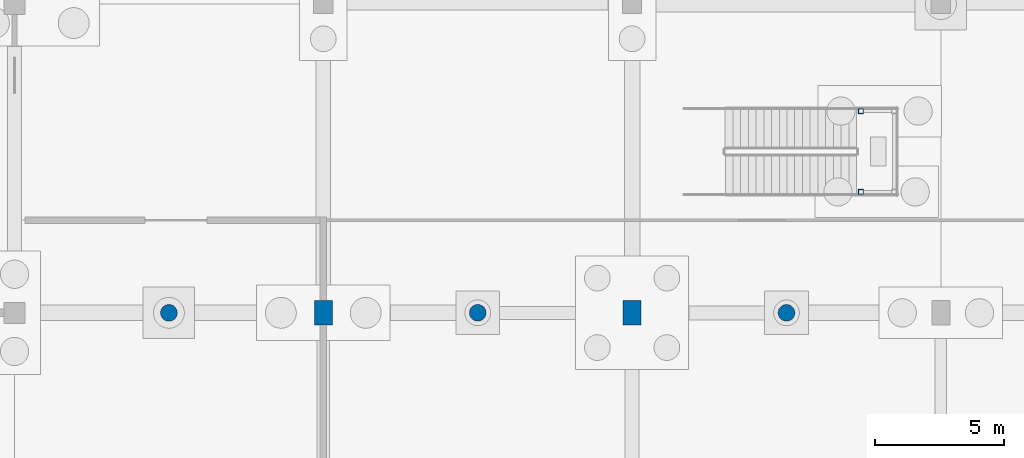
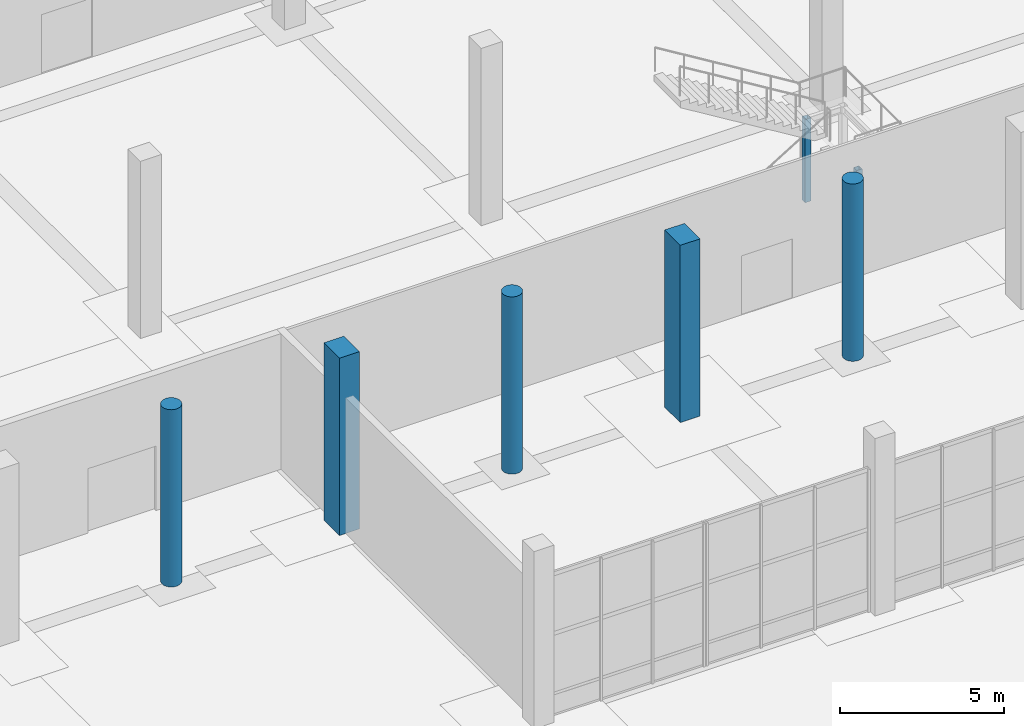
# One storey, part 22 of 117: 7 columns.
"""IFC4 building model written with IfcOpenShell, lengths in metres."""

from ifc_helpers import new_model, si_unit, direction, frame, origin, origin_2d, place, context, subcontext, project, spatial, rectangle, hollow_rectangle, circle, extrude, material, material_profile, profile_set, type_object, element, save


model = new_model("IFC4")

# Units and contexts
model_context = context("Model", 3, precision=1e-05, world=origin(), true_north=direction((0.0, 1.0)))
body_context = subcontext(model_context, "Body", "Model", "MODEL_VIEW")
ifc_project = project(units=[si_unit("LENGTHUNIT", "METRE"), si_unit("AREAUNIT", "SQUARE_METRE"), si_unit("VOLUMEUNIT", "CUBIC_METRE"), si_unit("PLANEANGLEUNIT", "RADIAN"), si_unit("MASSUNIT", "GRAM", prefix="KILO")], contexts=[model_context])

# Site, building, storey
site_placement = place(None, origin())
site = spatial("IfcSite", under=ifc_project, at=site_placement, CompositionType="ELEMENT")
building_placement = place(site_placement, origin())
building = spatial("IfcBuilding", under=site, at=building_placement, Name="Kamomehara Wholesale Market", CompositionType="ELEMENT")
storey_placement = place(building_placement, origin())
storey = spatial("IfcBuildingStorey", under=building, at=storey_placement, Name="L00", CompositionType="ELEMENT", Elevation=0.0)

# Columns
ifc_material_1 = material(Name="Precast concrete Fc45 (C40/50)", Category="concrete")
ifc_material_profile_1 = material_profile(ifc_material_1, circle(Radius=0.324951171875, at=origin_2d()), Name="PC-ARC-D650")
ifc_profile_set_1 = profile_set([ifc_material_profile_1], Name="Precast concrete Fc45 (C40/50)")
column_type_1 = type_object("IfcColumnType", Name="COL-ARC650-EXT", PredefinedType="COLUMN", material=ifc_profile_set_1)
for number, where, z_axis, x_axis, name in (
    (1, (66.0, 108.0, 0.0), (0.0, 0.0, 1.0), (1.0, 0.0, 0.0), "Column CA-01E L00"),
    (2, (78.0, 108.0, 0.0), (0.0, 0.0, 1.0), (1.0, 0.0, 0.0), "Column CA-01E L00"),
    (3, (90.0, 108.0, 0.0), (0.0, 0.0, 1.0), (1.0, 0.0, 0.0), "Column CA-01E L00"),
):
    element("IfcColumn", number, at=place(storey_placement, frame(where, z_axis=z_axis, x_axis=x_axis)), inside=storey, type_object=column_type_1, Name=name, PredefinedType="COLUMN", context=body_context, shape_type="SweptSolid", body=[
        extrude(circle(Radius=0.324951171875, at=origin_2d()), origin(), (0.0, 0.0, 1.0), 6.60009765625),
    ])
ifc_material_2 = material(Name="Precast concrete Fc45 (C40/50)", Category="concrete")
ifc_material_profile_2 = material_profile(ifc_material_2, rectangle(XDim=0.699951171875, YDim=0.949951171875, at=origin_2d()), Name="PC-COL-700x950")
ifc_profile_set_2 = profile_set([ifc_material_profile_2], Name="Precast concrete Fc45 (C40/50)")
column_type_2 = type_object("IfcColumnType", Name="COL-PCR950-EXT", PredefinedType="COLUMN", material=ifc_profile_set_2)
for number, where, z_axis, x_axis, name in (
    (4, (72.0, 108.0, 0.0), (0.0, 0.0, 1.0), (1.0, 0.0, 0.0), "Column C-11E L00"),
    (5, (84.0, 108.0, 0.0), (0.0, 0.0, 1.0), (1.0, 0.0, 0.0), "Column C-11E L00"),
):
    element("IfcColumn", number, at=place(storey_placement, frame(where, z_axis=z_axis, x_axis=x_axis)), inside=storey, type_object=column_type_2, Name=name, PredefinedType="COLUMN", context=body_context, shape_type="SweptSolid", body=[
        extrude(rectangle(XDim=0.699951171875, YDim=0.949951171875, at=origin_2d()), origin(), (0.0, 0.0, 1.0), 6.60009765625),
    ])
ifc_material_3 = material(Name="Steel SN490B", Category="steel")
ifc_material_profile_3 = material_profile(ifc_material_3, hollow_rectangle(XDim=0.199951171875, YDim=0.199951171875, WallThickness=0.009033203125, at=origin_2d()), Name="RHS-200x200x9")
ifc_profile_set_3 = profile_set([ifc_material_profile_3], Name="Steel SN490B")
column_type_3 = type_object("IfcColumnType", Name="COL-ST-RHS200", PredefinedType="COLUMN", material=ifc_profile_set_3)
for number, where, z_axis, x_axis, name in (
    (6, (92.889892578125, 112.699951171875, 0.0), (0.0, 0.0, 1.0), (1.0, 0.0, 0.0), "Column CS-12 L00"),
    (7, (92.889892578125, 115.840087890625, 0.0), (0.0, 0.0, 1.0), (1.0, 0.0, 0.0), "Column CS-12 L00"),
):
    element("IfcColumn", number, at=place(storey_placement, frame(where, z_axis=z_axis, x_axis=x_axis)), inside=storey, type_object=column_type_3, Name=name, PredefinedType="COLUMN", context=body_context, shape_type="SweptSolid", body=[
        extrude(hollow_rectangle(XDim=0.199951171875, YDim=0.199951171875, WallThickness=0.009033203125, at=origin_2d()), origin(), (0.0, 0.0, 1.0), 3.10009765625),
    ])

save(model, "model.ifc")
